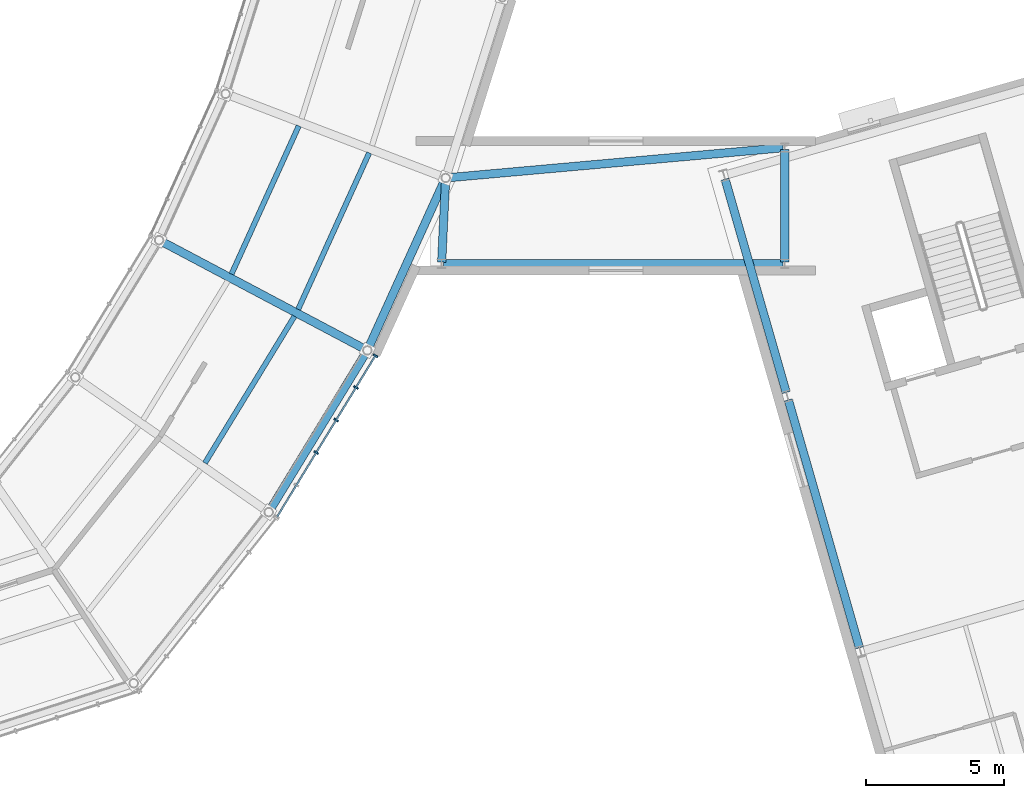
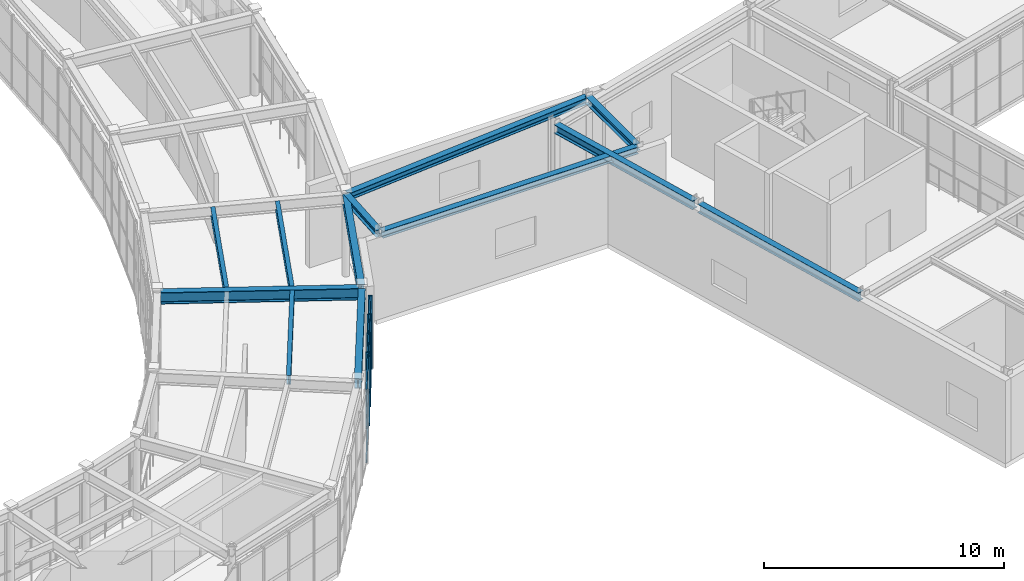
# One storey, part 31 of 103: 12 beams, 7 members, 1 element without a shape of its own.
"""IFC4 building model written with IfcOpenShell, lengths in metres."""

from ifc_helpers import new_model, si_unit, direction, frame, origin, origin_2d, place, context, subcontext, project, spatial, rectangle, i_section, extrude, material, material_profile, profile_set, type_object, element, aggregate, save


model = new_model("IFC4")

# Units and contexts
model_context = context("Model", 3, precision=1e-05, world=origin(), true_north=direction((0.0, 1.0)))
body_context = subcontext(model_context, "Body", "Model", "MODEL_VIEW")
ifc_project = project(units=[si_unit("LENGTHUNIT", "METRE"), si_unit("AREAUNIT", "SQUARE_METRE"), si_unit("VOLUMEUNIT", "CUBIC_METRE"), si_unit("PLANEANGLEUNIT", "RADIAN"), si_unit("MASSUNIT", "GRAM", prefix="KILO")], contexts=[model_context])

# Site, building, storey
site_placement = place(None, origin())
site = spatial("IfcSite", under=ifc_project, at=site_placement, CompositionType="ELEMENT")
building_placement = place(site_placement, origin())
building = spatial("IfcBuilding", under=site, at=building_placement, Name="Varnklinge Art Gallery", CompositionType="ELEMENT")
storey_placement = place(building_placement, frame((0.0, 0.0, 5.10009765625)))
storey = spatial("IfcBuildingStorey", under=building, at=storey_placement, Name="L01", CompositionType="ELEMENT", Elevation=5.10009765625)

# Beams
ifc_material_1 = material(Name="Steel S355", Category="steel")
ifc_material_profile_1 = material_profile(ifc_material_1, i_section(OverallWidth=0.300048828125, OverallDepth=0.590087890625, WebThickness=0.012939453125, FlangeThickness=0.02490234375, FilletRadius=0.027099609375, at=origin_2d()), Name="HEA 600")
ifc_profile_set_1 = profile_set([ifc_material_profile_1], Name="Steel S355")
beam_type_1 = type_object("IfcBeamType", Name="BM-06", PredefinedType="BEAM", material=ifc_profile_set_1)
beam_1_placement = place(storey_placement, frame((104.592529296875, 28.734619140625, 3.885009765625), z_axis=(-0.883713647739, 0.468027978651, 0.0), x_axis=(-0.468027978651, -0.883713647739, 0.0)))
element("IfcBeam", 1, at=beam_1_placement, inside=storey, type_object=beam_type_1, Name="L01 BM-06 BM-V2-L02-R03", PredefinedType="BEAM", context=body_context, shape_type="SweptSolid", body=[
    extrude(i_section(OverallWidth=0.300048828125, OverallDepth=0.590087890625, WebThickness=0.012939453125, FlangeThickness=0.02490234375, FilletRadius=0.027099609375, at=origin_2d()), origin(), (0.0, 0.0, 1.0), 8.237060546875),
])
ifc_material_2 = material(Name="Steel S355", Category="steel")
ifc_material_profile_2 = material_profile(ifc_material_2, i_section(OverallWidth=0.300048828125, OverallDepth=0.43994140625, WebThickness=0.011474609375, FlangeThickness=0.02099609375, FilletRadius=0.027099609375, at=origin_2d()), Name="HEA 450")
ifc_profile_set_2 = profile_set([ifc_material_profile_2], Name="Steel S355")
beam_type_2 = type_object("IfcBeamType", Name="BM-08", PredefinedType="BEAM", material=ifc_profile_set_2)
beam_2_placement = place(storey_placement, frame((122.501220703125, 17.92138671875, 3.97998046875), z_axis=(-0.275658609922, 0.961255601168, 0.0), x_axis=(-0.961255601168, -0.275658609922, 0.0)))
element("IfcBeam", 2, at=beam_2_placement, inside=storey, type_object=beam_type_2, Name="L01 BM-08 BM-V6-L02-V0-1", PredefinedType="BEAM", context=body_context, shape_type="SweptSolid", body=[
    extrude(i_section(OverallWidth=0.300048828125, OverallDepth=0.43994140625, WebThickness=0.011474609375, FlangeThickness=0.02099609375, FilletRadius=0.027099609375, at=origin_2d()), origin(), (0.0, 0.0, 1.0), 9.31982421875),
])
beam_3_placement = place(storey_placement, frame((119.85498046875, 27.1494140625, 3.97998046875), z_axis=(-0.275649759333, 0.961258139201, 0.0), x_axis=(-0.961258139201, -0.275649759333, 0.0)))
element("IfcBeam", 3, at=beam_3_placement, inside=storey, type_object=beam_type_2, Name="L01 BM-08 BM-V6-L02-V0-2", PredefinedType="BEAM", context=body_context, shape_type="SweptSolid", body=[
    extrude(i_section(OverallWidth=0.300048828125, OverallDepth=0.43994140625, WebThickness=0.011474609375, FlangeThickness=0.02099609375, FilletRadius=0.027099609375, at=origin_2d()), origin(), (0.0, 0.0, 1.0), 8.02001953125),
])
ifc_material_3 = material(Name="Steel S355", Category="steel")
ifc_material_profile_3 = material_profile(ifc_material_3, i_section(OverallWidth=0.300048828125, OverallDepth=0.35009765625, WebThickness=0.010009765625, FlangeThickness=0.017578125, FilletRadius=0.027099609375, at=origin_2d()), Name="HEA 360")
ifc_profile_set_3 = profile_set([ifc_material_profile_3], Name="Steel S355")
beam_type_3 = type_object("IfcBeamType", Name="BM-10", PredefinedType="BEAM", material=ifc_profile_set_3)
beam_4_placement = place(storey_placement, frame((107.4599609375, 31.800048828125, 4.02490234375), z_axis=(1.0, 0.0, 0.0), x_axis=(0.0, 1.0, 0.0)))
element("IfcBeam", 4, at=beam_4_placement, inside=storey, type_object=beam_type_3, Name="L01 BM-10 BM-LNK-V6-ROOF-1", PredefinedType="BEAM", context=body_context, shape_type="SweptSolid", body=[
    extrude(i_section(OverallWidth=0.300048828125, OverallDepth=0.35009765625, WebThickness=0.010009765625, FlangeThickness=0.017578125, FilletRadius=0.027099609375, at=origin_2d()), origin(), (0.0, 0.0, 1.0), 12.280029296875),
])
beam_5_placement = place(storey_placement, frame((119.800048828125, 31.860107421875, 4.02490234375), z_axis=(0.0, 1.0, 0.0), x_axis=(-1.0, 0.0, 0.0)))
element("IfcBeam", 5, at=beam_5_placement, inside=storey, type_object=beam_type_3, Name="L01 BM-10 BM-LNK-V6-ROOF-2", PredefinedType="BEAM", context=body_context, shape_type="SweptSolid", body=[
    extrude(i_section(OverallWidth=0.300048828125, OverallDepth=0.35009765625, WebThickness=0.010009765625, FlangeThickness=0.017578125, FilletRadius=0.027099609375, at=origin_2d()), origin(), (0.0, 0.0, 1.0), 4.079833984375),
])
beam_6_placement = place(storey_placement, frame((119.740234375, 35.99462890625, 4.0048828125), z_axis=(-0.996015643897, -0.089178680818, 0.0), x_axis=(0.089178680818, -0.996015643897, 0.0)))
element("IfcBeam", 6, at=beam_6_placement, inside=storey, type_object=beam_type_3, Name="L01 BM-10 BM-LNK-V6-ROOF-3", PredefinedType="BEAM", context=body_context, shape_type="SweptSolid", body=[
    extrude(i_section(OverallWidth=0.300048828125, OverallDepth=0.35009765625, WebThickness=0.010009765625, FlangeThickness=0.017578125, FilletRadius=0.027099609375, at=origin_2d()), origin(), (0.0, 0.0, 1.0), 12.1826171875),
])
beam_7_placement = place(storey_placement, frame((107.543701171875, 34.843017578125, 4.0048828125), z_axis=(-0.047168979072, -0.998886924238, 0.0), x_axis=(0.998886924238, -0.047168979072, 0.0)))
element("IfcBeam", 7, at=beam_7_placement, inside=storey, type_object=beam_type_3, Name="L01 BM-10 BM-LNK-V6-ROOF-4", PredefinedType="BEAM", context=body_context, shape_type="SweptSolid", body=[
    extrude(i_section(OverallWidth=0.300048828125, OverallDepth=0.35009765625, WebThickness=0.010009765625, FlangeThickness=0.017578125, FilletRadius=0.027099609375, at=origin_2d()), origin(), (0.0, 0.0, 1.0), 2.986572265625),
])
ifc_material_4 = material(Name="Steel S355", Category="steel")
ifc_material_profile_4 = material_profile(ifc_material_4, i_section(OverallWidth=0.18994140625, OverallDepth=0.449951171875, WebThickness=0.009521484375, FlangeThickness=0.0146484375, FilletRadius=0.02099609375, at=origin_2d()), Name="IPE 450")
ifc_profile_set_4 = profile_set([ifc_material_profile_4], Name="Steel S355")
beam_type_4 = type_object("IfcBeamType", Name="JST-04", PredefinedType="JOIST", material=ifc_profile_set_4)
beam_8_placement = place(storey_placement, frame((98.847412109375, 24.600830078125, 3.954833984375), z_axis=(0.520923848619, 0.853603153661, 0.0), x_axis=(-0.853603153661, 0.520923848619, 0.0)))
element("IfcBeam", 8, at=beam_8_placement, inside=storey, type_object=beam_type_4, Name="L01 JST-04 JST-V2-L02-02-1", PredefinedType="JOIST", context=body_context, shape_type="SweptSolid", body=[
    extrude(i_section(OverallWidth=0.18994140625, OverallDepth=0.449951171875, WebThickness=0.009521484375, FlangeThickness=0.0146484375, FilletRadius=0.02099609375, at=origin_2d()), origin(), (0.0, 0.0, 1.0), 6.213623046875),
])
beam_9_placement = place(storey_placement, frame((102.215087890625, 30.15185546875, 3.954833984375), z_axis=(0.413409198448, 0.910545350127, 0.0), x_axis=(-0.910545350127, 0.413409198448, 0.0)))
element("IfcBeam", 9, at=beam_9_placement, inside=storey, type_object=beam_type_4, Name="L01 JST-04 JST-V2-L02-03-1", PredefinedType="JOIST", context=body_context, shape_type="SweptSolid", body=[
    extrude(i_section(OverallWidth=0.18994140625, OverallDepth=0.449951171875, WebThickness=0.009521484375, FlangeThickness=0.0146484375, FilletRadius=0.02099609375, at=origin_2d()), origin(), (0.0, 0.0, 1.0), 6.2138671875),
])
beam_10_placement = place(storey_placement, frame((99.806396484375, 31.427490234375, 3.954833984375), z_axis=(0.413430786601, 0.910535548285, 0.0), x_axis=(-0.910535548285, 0.413430786601, 0.0)))
element("IfcBeam", 10, at=beam_10_placement, inside=storey, type_object=beam_type_4, Name="L01 JST-04 JST-V2-L02-03-2", PredefinedType="JOIST", context=body_context, shape_type="SweptSolid", body=[
    extrude(i_section(OverallWidth=0.18994140625, OverallDepth=0.449951171875, WebThickness=0.009521484375, FlangeThickness=0.0146484375, FilletRadius=0.02099609375, at=origin_2d()), origin(), (0.0, 0.0, 1.0), 5.88232421875),
])

# Curtain wall, members
ifc_material_5 = material(Name="Anodised Aluminium", Category="aluminium")
curtain_wall_type = type_object("IfcCurtainWallType", Name="CW-R02", PredefinedType="USERDEFINED", material=ifc_material_5)
curtain_wall_placement = place(storey_placement, origin())
curtain_wall = element("IfcCurtainWall", 11, at=curtain_wall_placement, inside=storey, type_object=curtain_wall_type, Name="L01 Curtain Wall CW-V2O-L01-02", ObjectType="UNITISED CURTAIN WALL", PredefinedType="USERDEFINED")
ifc_material_6 = material(Name="Anodised Aluminium", Category="aluminium")
ifc_material_profile_5 = material_profile(ifc_material_6, rectangle(XDim=0.06494140625, YDim=0.179931640625, at=origin_2d()), Name="ALU 65x180")
ifc_profile_set_5 = profile_set([ifc_material_profile_5], Name="Anodised Aluminium")
member_type_1 = type_object("IfcMemberType", Name="MUL-01", PredefinedType="MULLION", material=ifc_profile_set_5)
member_1_placement = place(storey_placement, frame((102.872314453125, 24.97705078125, 0.0), z_axis=(0.0, 0.0, 1.0), x_axis=(0.520860651188, 0.85364171761, 0.0)))
member_1 = element("IfcMember", 12, at=member_1_placement, type_object=member_type_1, Name="CW-V2O-L01-02 Mullion 3", PredefinedType="MULLION", context=body_context, shape_type="SweptSolid", body=[
    extrude(rectangle(XDim=0.06494140625, YDim=0.179931640625, at=origin_2d()), origin(), (0.0, 0.0, 1.0), 3.72998046875),
])
member_2_placement = place(storey_placement, frame((103.590087890625, 26.153076171875, 0.0), z_axis=(0.0, 0.0, 1.0), x_axis=(0.520860651188, 0.85364171761, 0.0)))
member_2 = element("IfcMember", 13, at=member_2_placement, type_object=member_type_1, Name="CW-V2O-L01-02 Mullion 4", PredefinedType="MULLION", context=body_context, shape_type="SweptSolid", body=[
    extrude(rectangle(XDim=0.06494140625, YDim=0.179931640625, at=origin_2d()), origin(), (0.0, 0.0, 1.0), 3.72998046875),
])
member_3_placement = place(storey_placement, frame((104.307861328125, 27.3291015625, 0.0), z_axis=(0.0, 0.0, 1.0), x_axis=(0.520860651188, 0.85364171761, 0.0)))
member_3 = element("IfcMember", 14, at=member_3_placement, type_object=member_type_1, Name="CW-V2O-L01-02 Mullion 5", PredefinedType="MULLION", context=body_context, shape_type="SweptSolid", body=[
    extrude(rectangle(XDim=0.06494140625, YDim=0.179931640625, at=origin_2d()), origin(), (0.0, 0.0, 1.0), 3.72998046875),
])
member_4_placement = place(storey_placement, frame((105.008544921875, 28.4775390625, 0.0), z_axis=(0.0, 0.0, 1.0), x_axis=(0.520860651188, 0.85364171761, 0.0)))
member_4 = element("IfcMember", 15, at=member_4_placement, type_object=member_type_1, Name="CW-V2O-L01-02 Mullion 6", PredefinedType="MULLION", context=body_context, shape_type="SweptSolid", body=[
    extrude(rectangle(XDim=0.06494140625, YDim=0.179931640625, at=origin_2d()), origin(), (0.0, 0.0, 1.0), 3.72998046875),
])

# Beams
ifc_material_7 = material(Name="Steel S355", Category="steel")
ifc_material_profile_6 = material_profile(ifc_material_7, i_section(OverallWidth=0.300048828125, OverallDepth=0.489990234375, WebThickness=0.011962890625, FlangeThickness=0.02294921875, FilletRadius=0.027099609375, at=origin_2d()), Name="HEA 500")
ifc_profile_set_6 = profile_set([ifc_material_profile_6], Name="Steel S355")
beam_type_5 = type_object("IfcBeamType", Name="SPB-01", PredefinedType="SPANDREL", material=ifc_profile_set_6)
beam_11_placement = place(storey_placement, frame((101.222900390625, 22.944580078125, 3.934814453125), z_axis=(0.520911485476, 0.853610698327, 0.0), x_axis=(-0.853610698327, 0.520911485476, 0.0)))
element("IfcBeam", 16, at=beam_11_placement, inside=storey, type_object=beam_type_5, Name="L01 SPB-01 BM-V2-L02-O02", PredefinedType="SPANDREL", context=body_context, shape_type="SweptSolid", body=[
    extrude(i_section(OverallWidth=0.300048828125, OverallDepth=0.489990234375, WebThickness=0.011962890625, FlangeThickness=0.02294921875, FilletRadius=0.027099609375, at=origin_2d()), origin(), (0.0, 0.0, 1.0), 6.566162109375),
])
beam_12_placement = place(storey_placement, frame((104.774169921875, 28.79638671875, 3.934814453125), z_axis=(0.413377101484, 0.910559922229, 0.0), x_axis=(-0.910559922229, 0.413377101484, 0.0)))
element("IfcBeam", 17, at=beam_12_placement, inside=storey, type_object=beam_type_5, Name="L01 SPB-01 BM-V2-L02-O03", PredefinedType="SPANDREL", context=body_context, shape_type="SweptSolid", body=[
    extrude(i_section(OverallWidth=0.300048828125, OverallDepth=0.489990234375, WebThickness=0.011962890625, FlangeThickness=0.02294921875, FilletRadius=0.027099609375, at=origin_2d()), origin(), (0.0, 0.0, 1.0), 6.56640625),
])

# Member
ifc_material_8 = material(Name="Anodised Aluminium", Category="aluminium")
ifc_material_profile_7 = material_profile(ifc_material_8, rectangle(XDim=0.06494140625, YDim=0.14990234375, at=origin_2d()), Name="ALU 65x150")
ifc_profile_set_7 = profile_set([ifc_material_profile_7], Name="Anodised Aluminium")
member_type_2 = type_object("IfcMemberType", Name="TRN-01", PredefinedType="USERDEFINED", material=ifc_profile_set_7)
member_5_placement = place(storey_placement, frame((101.453857421875, 22.652587890625, 0.074951171875), z_axis=(0.520915902613, 0.853608002777, 0.0), x_axis=(-0.853608002777, 0.520915902613, 0.0)))
member_5 = element("IfcMember", 18, at=member_5_placement, type_object=member_type_2, Name="CW-V2O-L01-02 Transom 1", ObjectType="TRANSOM", PredefinedType="USERDEFINED", context=body_context, shape_type="SweptSolid", body=[
    extrude(rectangle(XDim=0.06494140625, YDim=0.14990234375, at=origin_2d()), origin(), (0.0, 0.0, 1.0), 6.823974609375),
])

member_6_placement = place(storey_placement, frame((101.453857421875, 22.652587890625, 1.790283203125), z_axis=(0.520915902613, 0.853608002777, 0.0), x_axis=(-0.853608002777, 0.520915902613, 0.0)))
member_6 = element("IfcMember", 19, at=member_6_placement, type_object=member_type_2, Name="CW-V2O-L01-02 Transom 2", ObjectType="TRANSOM", PredefinedType="USERDEFINED", context=body_context, shape_type="SweptSolid", body=[
    extrude(rectangle(XDim=0.06494140625, YDim=0.14990234375, at=origin_2d()), origin(), (0.0, 0.0, 1.0), 6.823974609375),
])

member_7_placement = place(storey_placement, frame((101.453857421875, 22.652587890625, 3.65478515625), z_axis=(0.520915902613, 0.853608002777, 0.0), x_axis=(-0.853608002777, 0.520915902613, 0.0)))
member_7 = element("IfcMember", 20, at=member_7_placement, type_object=member_type_2, Name="CW-V2O-L01-02 Transom 3", ObjectType="TRANSOM", PredefinedType="USERDEFINED", context=body_context, shape_type="SweptSolid", body=[
    extrude(rectangle(XDim=0.06494140625, YDim=0.14990234375, at=origin_2d()), origin(), (0.0, 0.0, 1.0), 6.823974609375),
])

aggregate(curtain_wall, [member_1, member_2, member_3, member_4, member_5, member_6, member_7])

save(model, "model.ifc")
